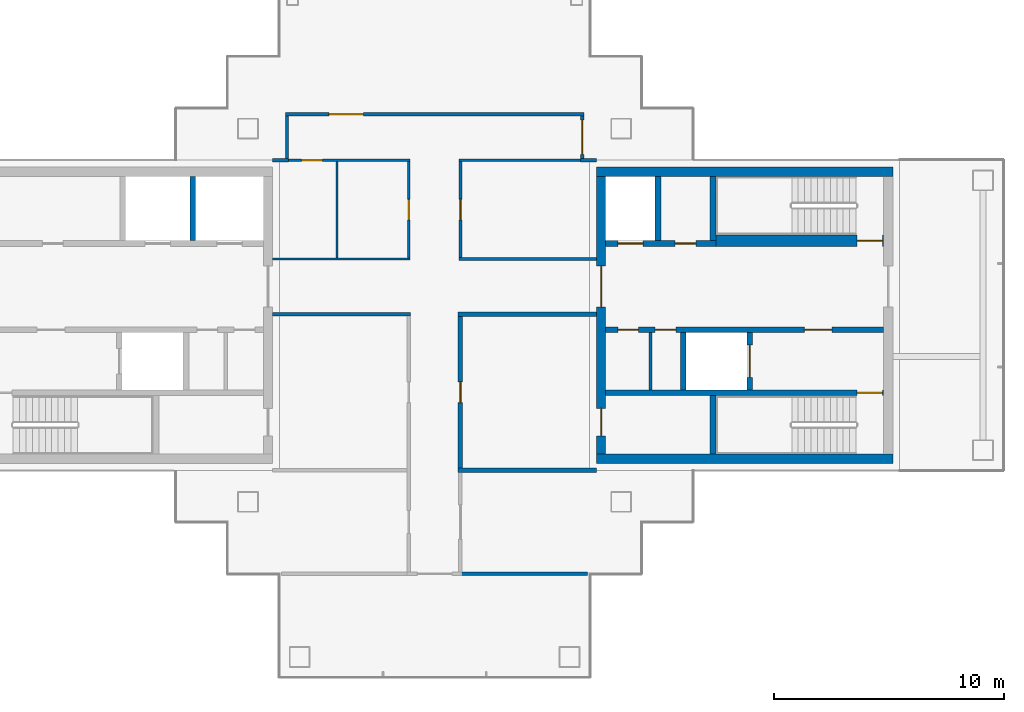
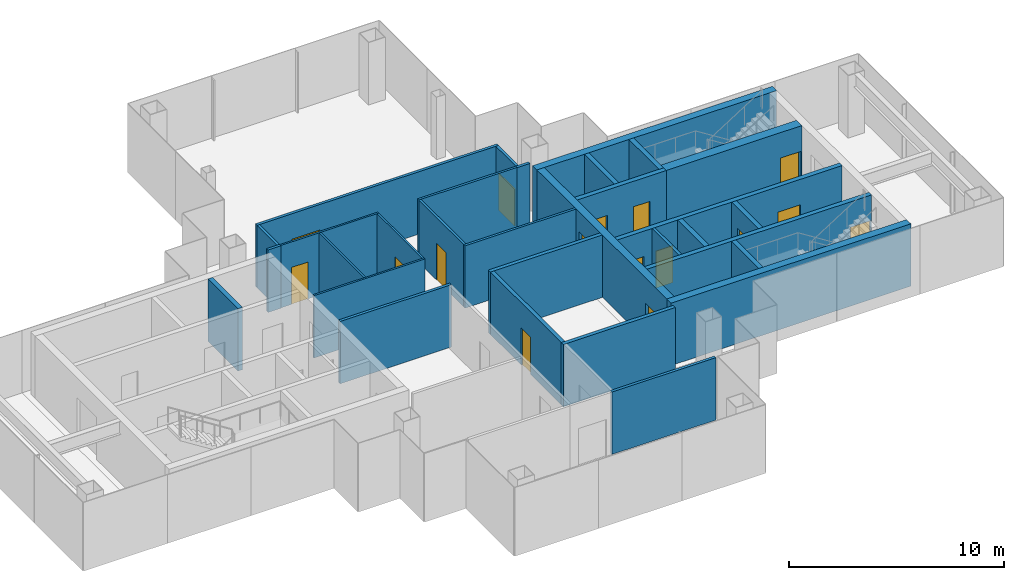
# One storey, part 12 of 16: 31 walls, 16 doors, 16 openings.
"""IFC4 building model written with IfcOpenShell, lengths in metres."""

from ifc_helpers import new_model, si_unit, direction, frame, frame_2d, origin, place, context, subcontext, project, spatial, rectangle, extrude, material, layer, layer_set, type_object, element, fill, save


model = new_model("IFC4")

# Units and contexts
model_context = context("Model", 3, precision=1e-05, world=origin(), true_north=direction((0.0, 1.0)))
body_context = subcontext(model_context, "Body", "Model", "MODEL_VIEW")
ifc_project = project(units=[si_unit("LENGTHUNIT", "METRE"), si_unit("AREAUNIT", "SQUARE_METRE"), si_unit("VOLUMEUNIT", "CUBIC_METRE"), si_unit("PLANEANGLEUNIT", "RADIAN"), si_unit("MASSUNIT", "GRAM", prefix="KILO")], contexts=[model_context])

# Site, building, storey
site_placement = place(None, origin())
site = spatial("IfcSite", under=ifc_project, at=site_placement, CompositionType="ELEMENT")
building_placement = place(site_placement, origin())
building = spatial("IfcBuilding", under=site, at=building_placement, Name="Shamsa Quay Exchange Towers", CompositionType="ELEMENT")
storey_placement = place(building_placement, frame((0.0, 0.0, 261.60009765625)))
storey = spatial("IfcBuildingStorey", under=building, at=storey_placement, Name="L63", CompositionType="ELEMENT", Elevation=261.60009765625)

# Walls
ifc_material_1 = material(Name="Concrete C60/75", Category="concrete")
ifc_layer_1 = layer(ifc_material_1, 0.39990234375)
ifc_layer_set_1 = layer_set([ifc_layer_1], Name="CORE WALL 400 C60/75")
wall_type_1 = type_object("IfcWallType", Name="CORE WALL 400 C60/75", PredefinedType="SHEAR", material=ifc_layer_set_1)
for number, where, z_axis, x_axis, name in (
    (1, (53.699951171875, -6.25, 0.0), (0.0, 0.0, 1.0), (-1.0, 0.0, 0.0), "Core wall T2B-R29-PS"),
    (2, (53.699951171875, 6.25, 0.0), (0.0, 0.0, 1.0), (-1.0, 0.0, 0.0), "Core wall T2B-R29-PN"),
):
    element("IfcWall", number, at=place(storey_placement, frame(where, z_axis=z_axis, x_axis=x_axis)), inside=storey, type_object=wall_type_1, Name=name, PredefinedType="SHEAR", context=body_context, shape_type="SweptSolid", body=[
        extrude(rectangle(XDim=12.89990234375, YDim=0.39990234375, at=frame_2d((6.449951171875, 0.0))), origin(), (0.0, 0.0, 1.0), 3.5498046875),
    ])

# Wall, openings, doors
wall_1_placement = place(storey_placement, frame((41.0, -6.050048828125, 0.0), z_axis=(0.0, 0.0, 1.0), x_axis=(0.0, 1.0, 0.0)))
wall_1 = element("IfcWall", 3, at=wall_1_placement, inside=storey, type_object=wall_type_1, Name="Core wall T2B-R29-PB", PredefinedType="SHEAR", context=body_context, shape_type="SweptSolid", body=[
    extrude(rectangle(XDim=12.10009765625, YDim=0.39990234375, at=frame_2d((6.050048828125, 0.0))), origin(), (0.0, 0.0, 1.0), 3.5498046875),
])
opening_1_placement = place(wall_1_placement, frame((0.800048828125, 0.0, 0.0)))
opening_1 = element("IfcOpeningElement", 4, at=opening_1_placement, cuts=wall_1, Name="Opening T2B-R29-RD02", PredefinedType="OPENING", context=body_context, shape_type="SweptSolid", body=[
    extrude(rectangle(XDim=1.199951171875, YDim=2.10009765625, at=frame_2d((0.60009765625, 1.050048828125))), frame((0.0, 0.2099609375, 0.0), z_axis=(0.0, -1.0, 0.0), x_axis=(1.0, 0.0, 0.0)), (0.0, 0.0, 1.0), 0.419921875),
])
opening_2_placement = place(wall_1_placement, frame((6.39990234375, 0.0, 0.0)))
opening_2 = element("IfcOpeningElement", 5, at=opening_2_placement, cuts=wall_1, Name="Opening T2B-R29-LBD03", PredefinedType="OPENING", context=body_context, shape_type="SweptSolid", body=[
    extrude(rectangle(XDim=1.800048828125, YDim=2.39990234375, at=frame_2d((0.89990234375, 1.199951171875))), frame((0.0, 0.2099609375, 0.0), z_axis=(0.0, -1.0, 0.0), x_axis=(1.0, 0.0, 0.0)), (0.0, 0.0, 1.0), 0.419921875),
])
ifc_material_2 = material(Name="Steel, fire rated", Category="steel")
door_type_1 = type_object("IfcDoorType", Name="LIFT LOBBY DOOR PAIR 1800", OperationType="DOUBLE_DOOR_SINGLE_SWING", PredefinedType="DOOR", material=ifc_material_2)
door_1_placement = place(opening_2_placement, origin())
door_1 = element("IfcDoor", 6, at=door_1_placement, inside=storey, type_object=door_type_1, Name="T2B-R29-LBD03", OperationType="DOUBLE_DOOR_SINGLE_SWING", OverallHeight=2.39990234375, OverallWidth=1.800048828125, PredefinedType="DOOR", context=body_context, shape_type="SweptSolid", body=[
    extrude(rectangle(XDim=1.800048828125, YDim=2.39990234375, at=frame_2d((0.89990234375, 1.199951171875))), frame((0.0, 0.02490234375, 0.0), z_axis=(0.0, -1.0, 0.0), x_axis=(1.0, 0.0, 0.0)), (0.0, 0.0, 1.0), 0.050048828125),
])
fill(opening_2, door_1)
door_type_2 = type_object("IfcDoorType", Name="RISER ACCESS DOOR 1200", OperationType="SINGLE_SWING_LEFT", PredefinedType="DOOR", material=ifc_material_2)
door_2_placement = place(opening_1_placement, origin())
door_2 = element("IfcDoor", 7, at=door_2_placement, inside=storey, type_object=door_type_2, Name="T2B-R29-RD02", OperationType="SINGLE_SWING_LEFT", OverallHeight=2.10009765625, OverallWidth=1.199951171875, PredefinedType="DOOR", context=body_context, shape_type="SweptSolid", body=[
    extrude(rectangle(XDim=1.199951171875, YDim=2.10009765625, at=frame_2d((0.60009765625, 1.050048828125))), frame((0.0, 0.02490234375, 0.0), z_axis=(0.0, -1.0, 0.0), x_axis=(1.0, 0.0, 0.0)), (0.0, 0.0, 1.0), 0.050048828125),
])
fill(opening_1, door_2)

# Walls
ifc_material_3 = material(Name="Gypsum board on steel studs, EI 60", Category="steel")
ifc_layer_2 = layer(ifc_material_3, 0.14990234375)
ifc_layer_set_2 = layer_set([ifc_layer_2], Name="FIRE PARTITION 150")
wall_type_2 = type_object("IfcWallType", Name="FIRE PARTITION 150", PredefinedType="PARTITIONING", material=ifc_layer_set_2)
wall_2_placement = place(storey_placement, frame((43.14990234375, -3.25, 0.0), z_axis=(0.0, 0.0, 1.0), x_axis=(0.0, 1.0, 0.0)))
element("IfcWall", 8, at=wall_2_placement, inside=storey, type_object=wall_type_2, Name="Partition T2B-R29-EC0", PredefinedType="PARTITIONING", context=body_context, shape_type="SweptSolid", body=[
    extrude(rectangle(XDim=2.5, YDim=0.14990234375, at=frame_2d((1.25, 0.0))), origin(), (0.0, 0.0, 1.0), 3.5498046875),
])
ifc_material_4 = material(Name="Laminated fire-resisting glass in a metal frame", Category="glass")
ifc_layer_3 = layer(ifc_material_4, 0.125)
ifc_layer_set_3 = layer_set([ifc_layer_3], Name="Glazed partition 125 mm EI 60")
wall_type_3 = type_object("IfcWallType", Name="Glazed partition 125 mm EI 60", PredefinedType="PARTITIONING", material=ifc_layer_set_3)
wall_3_placement = place(storey_placement, frame((34.8125, 2.4501953125, 0.0)))
element("IfcWall", 9, at=wall_3_placement, inside=storey, type_object=wall_type_3, Name="Partition T2-R29-W06", PredefinedType="PARTITIONING", context=body_context, shape_type="SweptSolid", body=[
    extrude(rectangle(XDim=5.987548828125, YDim=0.125, at=frame_2d((2.99365234375, 0.0))), origin(), (0.0, 0.0, 1.0), 3.5498046875),
])

# Wall, opening, door
wall_4_placement = place(storey_placement, frame((34.875, 6.6875, 0.0), z_axis=(0.0, 0.0, 1.0), x_axis=(0.0, -1.0, 0.0)))
wall_4 = element("IfcWall", 10, at=wall_4_placement, inside=storey, type_object=wall_type_3, Name="Partition T2-R29-W07", PredefinedType="PARTITIONING", context=body_context, shape_type="SweptSolid", body=[
    extrude(rectangle(XDim=4.1748046875, YDim=0.125, at=frame_2d((2.08740234375, 0.0))), origin(), (0.0, 0.0, 1.0), 3.5498046875),
])
opening_3_placement = place(wall_4_placement, frame((1.637451171875, 0.0, 0.0)))
opening_3 = element("IfcOpeningElement", 11, at=opening_3_placement, cuts=wall_4, Name="Opening T2-R29-D04", PredefinedType="OPENING", context=body_context, shape_type="SweptSolid", body=[
    extrude(rectangle(XDim=0.89990234375, YDim=2.10009765625, at=frame_2d((0.449951171875, 1.050048828125))), frame((0.0, 0.072509765625, 0.0), z_axis=(0.0, -1.0, 0.0), x_axis=(1.0, 0.0, 0.0)), (0.0, 0.0, 1.0), 0.14501953125),
])
ifc_material_5 = material(Name="Timber door leaf in a metal frame", Category="wood")
door_type_3 = type_object("IfcDoorType", Name="Door 900x2100 FD30S", OperationType="NOTDEFINED", PredefinedType="DOOR", material=ifc_material_5)
door_3_placement = place(opening_3_placement, origin())
door_3 = element("IfcDoor", 12, at=door_3_placement, inside=storey, type_object=door_type_3, Name="Door T2-R29-D04", OperationType="SINGLE_SWING_RIGHT", OverallHeight=2.10009765625, OverallWidth=0.89990234375, PredefinedType="DOOR", context=body_context, shape_type="SweptSolid", body=[
    extrude(rectangle(XDim=0.89990234375, YDim=2.10009765625, at=frame_2d((0.449951171875, 1.050048828125))), frame((0.0, 0.02490234375, 0.0), z_axis=(0.0, -1.0, 0.0), x_axis=(1.0, 0.0, 0.0)), (0.0, 0.0, 1.0), 0.050048828125),
])
fill(opening_3, door_3)

# Wall
wall_5_placement = place(storey_placement, frame((40.249755859375, 6.75, 0.0), z_axis=(0.0, 0.0, 1.0), x_axis=(-1.0, 0.0, 0.0)))
element("IfcWall", 13, at=wall_5_placement, inside=storey, type_object=wall_type_3, Name="Partition T2-R29-W08", PredefinedType="PARTITIONING", context=body_context, shape_type="SweptSolid", body=[
    extrude(rectangle(XDim=5.437255859375, YDim=0.125, at=frame_2d((2.71875, 0.0))), origin(), (0.0, 0.0, 1.0), 3.5498046875),
])

# Wall, opening, door
ifc_material_6 = material(Name="Gypsum board partition on metal studs")
ifc_layer_4 = layer(ifc_material_6, 0.10009765625)
ifc_layer_set_4 = layer_set([ifc_layer_4], Name="Partition 100 mm NOT RATED")
wall_type_4 = type_object("IfcWallType", Name="Partition 100 mm NOT RATED", PredefinedType="PARTITIONING", material=ifc_layer_set_4)
wall_6_placement = place(storey_placement, frame((32.675048828125, 6.75, 0.0), z_axis=(0.0, 0.0, 1.0), x_axis=(-1.0, 0.0, 0.0)))
wall_6 = element("IfcWall", 14, at=wall_6_placement, inside=storey, type_object=wall_type_4, Name="Partition T2-R29-W01", PredefinedType="PARTITIONING", context=body_context, shape_type="SweptSolid", body=[
    extrude(rectangle(XDim=5.4248046875, YDim=0.10009765625, at=frame_2d((2.71240234375, 0.0))), origin(), (0.0, 0.0, 1.0), 3.5498046875),
])
opening_4_placement = place(wall_6_placement, frame((3.8125, 0.0, 0.0)))
opening_4 = element("IfcOpeningElement", 15, at=opening_4_placement, cuts=wall_6, Name="Opening T2-R29-D09", PredefinedType="OPENING", context=body_context, shape_type="SweptSolid", body=[
    extrude(rectangle(XDim=0.89990234375, YDim=2.10009765625, at=frame_2d((0.449951171875, 1.050048828125))), frame((0.0, 0.06005859375, 0.0), z_axis=(0.0, -1.0, 0.0), x_axis=(1.0, 0.0, 0.0)), (0.0, 0.0, 1.0), 0.1201171875),
])
door_type_4 = type_object("IfcDoorType", Name="Door 900x2100 NOT RATED", OperationType="NOTDEFINED", PredefinedType="DOOR", material=ifc_material_5)
door_4_placement = place(opening_4_placement, origin())
door_4 = element("IfcDoor", 16, at=door_4_placement, inside=storey, type_object=door_type_4, Name="Door T2-R29-D09", OperationType="SINGLE_SWING_LEFT", OverallHeight=2.10009765625, OverallWidth=0.89990234375, PredefinedType="DOOR", context=body_context, shape_type="SweptSolid", body=[
    extrude(rectangle(XDim=0.89990234375, YDim=2.10009765625, at=frame_2d((0.449951171875, 1.050048828125))), frame((0.0, 0.02490234375, 0.0), z_axis=(0.0, -1.0, 0.0), x_axis=(1.0, 0.0, 0.0)), (0.0, 0.0, 1.0), 0.050048828125),
])
fill(opening_4, door_4)

wall_7_placement = place(storey_placement, frame((32.625, 2.500244140625, 0.0), z_axis=(0.0, 0.0, 1.0), x_axis=(0.0, 1.0, 0.0)))
wall_7 = element("IfcWall", 17, at=wall_7_placement, inside=storey, type_object=wall_type_4, Name="Partition T2-R29-W02", PredefinedType="PARTITIONING", context=body_context, shape_type="SweptSolid", body=[
    extrude(rectangle(XDim=4.19970703125, YDim=0.10009765625, at=frame_2d((2.099853515625, 0.0))), origin(), (0.0, 0.0, 1.0), 3.5498046875),
])
opening_5_placement = place(wall_7_placement, frame((1.64990234375, 0.0, 0.0)))
opening_5 = element("IfcOpeningElement", 18, at=opening_5_placement, cuts=wall_7, Name="Opening T2-R29-D08", PredefinedType="OPENING", context=body_context, shape_type="SweptSolid", body=[
    extrude(rectangle(XDim=0.89990234375, YDim=2.10009765625, at=frame_2d((0.449951171875, 1.050048828125))), frame((0.0, 0.06005859375, 0.0), z_axis=(0.0, -1.0, 0.0), x_axis=(1.0, 0.0, 0.0)), (0.0, 0.0, 1.0), 0.1201171875),
])
door_5_placement = place(opening_5_placement, origin())
door_5 = element("IfcDoor", 19, at=door_5_placement, inside=storey, type_object=door_type_4, Name="Door T2-R29-D08", OperationType="SINGLE_SWING_LEFT", OverallHeight=2.10009765625, OverallWidth=0.89990234375, PredefinedType="DOOR", context=body_context, shape_type="SweptSolid", body=[
    extrude(rectangle(XDim=0.89990234375, YDim=2.10009765625, at=frame_2d((0.449951171875, 1.050048828125))), frame((0.0, 0.02490234375, 0.0), z_axis=(0.0, -1.0, 0.0), x_axis=(1.0, 0.0, 0.0)), (0.0, 0.0, 1.0), 0.050048828125),
])
fill(opening_5, door_5)

# Walls
wall_8_placement = place(storey_placement, frame((26.699951171875, 2.4501953125, 0.0)))
element("IfcWall", 20, at=wall_8_placement, inside=storey, type_object=wall_type_4, Name="Partition T2-R29-W03", PredefinedType="PARTITIONING", context=body_context, shape_type="SweptSolid", body=[
    extrude(rectangle(XDim=5.97509765625, YDim=0.10009765625, at=frame_2d((2.987548828125, 0.0))), origin(), (0.0, 0.0, 1.0), 3.5498046875),
])
wall_9_placement = place(storey_placement, frame((29.5, 6.699951171875, 0.0), z_axis=(0.0, 0.0, 1.0), x_axis=(0.0, -1.0, 0.0)))
element("IfcWall", 21, at=wall_9_placement, inside=storey, type_object=wall_type_4, Name="Partition T2-R29-W16", PredefinedType="PARTITIONING", context=body_context, shape_type="SweptSolid", body=[
    extrude(rectangle(XDim=4.19970703125, YDim=0.10009765625, at=frame_2d((2.099853515625, 0.0))), origin(), (0.0, 0.0, 1.0), 3.5498046875),
])
ifc_layer_5 = layer(ifc_material_6, 0.14990234375)
ifc_layer_set_5 = layer_set([ifc_layer_5], Name="Partition 150 mm EI 60")
wall_type_5 = type_object("IfcWallType", Name="Partition 150 mm EI 60", PredefinedType="PARTITIONING", material=ifc_layer_set_5)
wall_10_placement = place(storey_placement, frame((32.699951171875, 0.0498046875, 0.0), z_axis=(0.0, 0.0, 1.0), x_axis=(-1.0, 0.0, 0.0)))
element("IfcWall", 22, at=wall_10_placement, inside=storey, type_object=wall_type_5, Name="Partition T2-R29-W04", PredefinedType="PARTITIONING", context=body_context, shape_type="SweptSolid", body=[
    extrude(rectangle(XDim=6.0, YDim=0.14990234375, at=frame_2d((3.0, 0.0))), origin(), (0.0, 0.0, 1.0), 3.5498046875),
])

# Wall, opening, door
wall_11_placement = place(storey_placement, frame((40.1748046875, 6.824951171875, 0.0), z_axis=(0.0, 0.0, 1.0), x_axis=(0.0, 1.0, 0.0)))
wall_11 = element("IfcWall", 23, at=wall_11_placement, inside=storey, type_object=wall_type_5, Name="Partition T2-R29-W11", PredefinedType="PARTITIONING", context=body_context, shape_type="SweptSolid", body=[
    extrude(rectangle(XDim=1.85009765625, YDim=0.14990234375, at=frame_2d((0.925048828125, 0.0))), origin(), (0.0, 0.0, 1.0), 3.5498046875),
])
opening_6_placement = place(wall_11_placement, frame((0.175048828125, 0.0, 0.0)))
opening_6 = element("IfcOpeningElement", 24, at=opening_6_placement, cuts=wall_11, Name="Opening T2-R29-D01", PredefinedType="OPENING", context=body_context, shape_type="SweptSolid", body=[
    extrude(rectangle(XDim=1.5, YDim=2.10009765625, at=frame_2d((0.75, 1.050048828125))), frame((0.0, 0.0849609375, 0.0), z_axis=(0.0, -1.0, 0.0), x_axis=(1.0, 0.0, 0.0)), (0.0, 0.0, 1.0), 0.169921875),
])
door_type_5 = type_object("IfcDoorType", Name="Door 1500x2100 FD30S pair", OperationType="NOTDEFINED", PredefinedType="DOOR", material=ifc_material_5)
door_6_placement = place(opening_6_placement, origin())
door_6 = element("IfcDoor", 25, at=door_6_placement, inside=storey, type_object=door_type_5, Name="Door T2-R29-D01", OperationType="DOUBLE_DOOR_SINGLE_SWING", OverallHeight=2.10009765625, OverallWidth=1.5, PredefinedType="DOOR", context=body_context, shape_type="SweptSolid", body=[
    extrude(rectangle(XDim=1.5, YDim=2.10009765625, at=frame_2d((0.75, 1.050048828125))), frame((0.0, 0.02490234375, 0.0), z_axis=(0.0, -1.0, 0.0), x_axis=(1.0, 0.0, 0.0)), (0.0, 0.0, 1.0), 0.050048828125),
])
fill(opening_6, door_6)

wall_12_placement = place(storey_placement, frame((40.249755859375, 8.75, 0.0), z_axis=(0.0, 0.0, 1.0), x_axis=(-1.0, 0.0, 0.0)))
wall_12 = element("IfcWall", 26, at=wall_12_placement, inside=storey, type_object=wall_type_5, Name="Partition T2-R29-W12", PredefinedType="PARTITIONING", context=body_context, shape_type="SweptSolid", body=[
    extrude(rectangle(XDim=12.99951171875, YDim=0.14990234375, at=frame_2d((6.499755859375, 0.0))), origin(), (0.0, 0.0, 1.0), 3.5498046875),
])
opening_7_placement = place(wall_12_placement, frame((9.604736328125, 0.0, 0.0)))
opening_7 = element("IfcOpeningElement", 27, at=opening_7_placement, cuts=wall_12, Name="Opening T2-R29-D10", PredefinedType="OPENING", context=body_context, shape_type="SweptSolid", body=[
    extrude(rectangle(XDim=1.5, YDim=2.10009765625, at=frame_2d((0.75, 1.050048828125))), frame((0.0, 0.0849609375, 0.0), z_axis=(0.0, -1.0, 0.0), x_axis=(1.0, 0.0, 0.0)), (0.0, 0.0, 1.0), 0.169921875),
])
door_7_placement = place(opening_7_placement, origin())
door_7 = element("IfcDoor", 28, at=door_7_placement, inside=storey, type_object=door_type_5, Name="Door T2-R29-D10", OperationType="DOUBLE_DOOR_SINGLE_SWING", OverallHeight=2.10009765625, OverallWidth=1.5, PredefinedType="DOOR", context=body_context, shape_type="SweptSolid", body=[
    extrude(rectangle(XDim=1.5, YDim=2.10009765625, at=frame_2d((0.75, 1.050048828125))), frame((0.0, 0.02490234375, 0.0), z_axis=(0.0, -1.0, 0.0), x_axis=(1.0, 0.0, 0.0)), (0.0, 0.0, 1.0), 0.050048828125),
])
fill(opening_7, door_7)

# Walls
wall_13_placement = place(storey_placement, frame((27.3251953125, 8.675048828125, 0.0), z_axis=(0.0, 0.0, 1.0), x_axis=(0.0, -1.0, 0.0)))
element("IfcWall", 29, at=wall_13_placement, inside=storey, type_object=wall_type_5, Name="Partition T2-R29-W13", PredefinedType="PARTITIONING", context=body_context, shape_type="SweptSolid", body=[
    extrude(rectangle(XDim=1.85009765625, YDim=0.14990234375, at=frame_2d((0.925048828125, 0.0))), origin(), (0.0, 0.0, 1.0), 3.5498046875),
])
for number, where, z_axis, x_axis, name in (
    (30, (27.400146484375, 6.75, 0.0), (0.0, 0.0, 1.0), (-1.0, 0.0, 0.0), "Partition T2-R29-W17"),
    (31, (40.800048828125, 6.75, 0.0), (0.0, 0.0, 1.0), (-1.0, 0.0, 0.0), "Partition T2-R29-W18"),
):
    element("IfcWall", number, at=place(storey_placement, frame(where, z_axis=z_axis, x_axis=x_axis)), inside=storey, type_object=wall_type_5, Name=name, PredefinedType="PARTITIONING", context=body_context, shape_type="SweptSolid", body=[
        extrude(rectangle(XDim=0.7001953125, YDim=0.14990234375, at=frame_2d((0.35009765625, 0.0))), origin(), (0.0, 0.0, 1.0), 3.5498046875),
    ])
wall_14_placement = place(storey_placement, frame((34.800048828125, -11.25, 0.0)))
element("IfcWall", 32, at=wall_14_placement, inside=storey, type_object=wall_type_5, Name="Partition T2-R29-W21", PredefinedType="PARTITIONING", context=body_context, shape_type="SweptSolid", body=[
    extrude(rectangle(XDim=5.60498046875, YDim=0.14990234375, at=frame_2d((2.802490234375, 0.0))), origin(), (0.0, 0.0, 1.0), 3.5498046875),
])

# Wall, opening, door
ifc_layer_6 = layer(ifc_material_6, 0.199951171875)
ifc_layer_set_6 = layer_set([ifc_layer_6], Name="Partition 200 mm EI 120")
wall_type_6 = type_object("IfcWallType", Name="Partition 200 mm EI 120", PredefinedType="PARTITIONING", material=ifc_layer_set_6)
wall_15_placement = place(storey_placement, frame((34.875, -0.05029296875, 0.0), z_axis=(0.0, 0.0, 1.0), x_axis=(0.0, -1.0, 0.0)))
wall_15 = element("IfcWall", 33, at=wall_15_placement, inside=storey, type_object=wall_type_6, Name="Partition T2-R29-W09", PredefinedType="PARTITIONING", context=body_context, shape_type="SweptSolid", body=[
    extrude(rectangle(XDim=6.599609375, YDim=0.199951171875, at=frame_2d((3.2998046875, 0.0))), origin(), (0.0, 0.0, 1.0), 3.5498046875),
])
opening_8_placement = place(wall_15_placement, frame((2.849853515625, 0.0, 0.0)))
opening_8 = element("IfcOpeningElement", 34, at=opening_8_placement, cuts=wall_15, Name="Opening T2-R29-D03", PredefinedType="OPENING", context=body_context, shape_type="SweptSolid", body=[
    extrude(rectangle(XDim=0.89990234375, YDim=2.10009765625, at=frame_2d((0.449951171875, 1.050048828125))), frame((0.0, 0.10986328125, 0.0), z_axis=(0.0, -1.0, 0.0), x_axis=(1.0, 0.0, 0.0)), (0.0, 0.0, 1.0), 0.219970703125),
])
door_type_6 = type_object("IfcDoorType", Name="Door 900x2100 FD60", OperationType="NOTDEFINED", PredefinedType="DOOR", material=ifc_material_5)
door_8_placement = place(opening_8_placement, origin())
door_8 = element("IfcDoor", 35, at=door_8_placement, inside=storey, type_object=door_type_6, Name="Door T2-R29-D03", OperationType="SINGLE_SWING_LEFT", OverallHeight=2.10009765625, OverallWidth=0.89990234375, PredefinedType="DOOR", context=body_context, shape_type="SweptSolid", body=[
    extrude(rectangle(XDim=0.89990234375, YDim=2.10009765625, at=frame_2d((0.449951171875, 1.050048828125))), frame((0.0, 0.02490234375, 0.0), z_axis=(0.0, -1.0, 0.0), x_axis=(1.0, 0.0, 0.0)), (0.0, 0.0, 1.0), 0.050048828125),
])
fill(opening_8, door_8)

# Walls
wall_16_placement = place(storey_placement, frame((40.800048828125, 0.0498046875, 0.0), z_axis=(0.0, 0.0, 1.0), x_axis=(-1.0, 0.0, 0.0)))
element("IfcWall", 36, at=wall_16_placement, inside=storey, type_object=wall_type_6, Name="Partition T2-R29-W10", PredefinedType="PARTITIONING", context=body_context, shape_type="SweptSolid", body=[
    extrude(rectangle(XDim=6.025146484375, YDim=0.199951171875, at=frame_2d((3.0126953125, 0.0))), origin(), (0.0, 0.0, 1.0), 3.5498046875),
])
wall_17_placement = place(storey_placement, frame((34.77490234375, -6.75, 0.0)))
element("IfcWall", 37, at=wall_17_placement, inside=storey, type_object=wall_type_6, Name="Partition T2-R29-W20", PredefinedType="PARTITIONING", context=body_context, shape_type="SweptSolid", body=[
    extrude(rectangle(XDim=6.025146484375, YDim=0.199951171875, at=frame_2d((3.0126953125, 0.0))), origin(), (0.0, 0.0, 1.0), 3.5498046875),
])
ifc_material_7 = material(Name="Concrete C50/60", Category="concrete")
ifc_layer_7 = layer(ifc_material_7, 0.25)
ifc_layer_set_7 = layer_set([ifc_layer_7], Name="SHAFT WALL 250 C50/60")
wall_type_7 = type_object("IfcWallType", Name="SHAFT WALL 250 C50/60", PredefinedType="SHEAR", material=ifc_layer_set_7)
wall_18_placement = place(storey_placement, frame((23.22509765625, 3.25, 0.0), z_axis=(0.0, 0.0, 1.0), x_axis=(0.0, 1.0, 0.0)))
element("IfcWall", 38, at=wall_18_placement, inside=storey, type_object=wall_type_7, Name="Shaft wall T2A-R29-D2", PredefinedType="SHEAR", context=body_context, shape_type="SweptSolid", body=[
    extrude(rectangle(XDim=2.800048828125, YDim=0.25, at=frame_2d((1.39990234375, 0.0))), origin(), (0.0, 0.0, 1.0), 3.5498046875),
])

# Wall, opening, door
wall_19_placement = place(storey_placement, frame((53.300048828125, -3.375, 0.0), z_axis=(0.0, 0.0, 1.0), x_axis=(-1.0, 0.0, 0.0)))
wall_19 = element("IfcWall", 39, at=wall_19_placement, inside=storey, type_object=wall_type_7, Name="Shaft wall T2B-R29-STL", PredefinedType="SHEAR", context=body_context, shape_type="SweptSolid", body=[
    extrude(rectangle(XDim=12.10009765625, YDim=0.25, at=frame_2d((6.050048828125, 0.0))), origin(), (0.0, 0.0, 1.0), 3.5498046875),
])
opening_9_placement = place(wall_19_placement, frame((0.050048828125, 0.0, 0.0)))
opening_9 = element("IfcOpeningElement", 40, at=opening_9_placement, cuts=wall_19, Name="Opening T2B-R29-SD04", PredefinedType="OPENING", context=body_context, shape_type="SweptSolid", body=[
    extrude(rectangle(XDim=1.10009765625, YDim=2.10009765625, at=frame_2d((0.550048828125, 1.050048828125))), frame((0.0, 0.135009765625, 0.0), z_axis=(0.0, -1.0, 0.0), x_axis=(1.0, 0.0, 0.0)), (0.0, 0.0, 1.0), 0.27001953125),
])
door_type_7 = type_object("IfcDoorType", Name="STAIR DOOR 1100", OperationType="SINGLE_SWING_LEFT", PredefinedType="DOOR", material=ifc_material_2)
door_9_placement = place(opening_9_placement, origin())
door_9 = element("IfcDoor", 41, at=door_9_placement, inside=storey, type_object=door_type_7, Name="T2B-R29-SD04", OperationType="SINGLE_SWING_LEFT", OverallHeight=2.10009765625, OverallWidth=1.10009765625, PredefinedType="DOOR", context=body_context, shape_type="SweptSolid", body=[
    extrude(rectangle(XDim=1.10009765625, YDim=2.10009765625, at=frame_2d((0.550048828125, 1.050048828125))), frame((0.0, 0.02490234375, 0.0), z_axis=(0.0, -1.0, 0.0), x_axis=(1.0, 0.0, 0.0)), (0.0, 0.0, 1.0), 0.050048828125),
])
fill(opening_9, door_9)

# Wall
wall_20_placement = place(storey_placement, frame((45.875, -6.050048828125, 0.0), z_axis=(0.0, 0.0, 1.0), x_axis=(0.0, 1.0, 0.0)))
element("IfcWall", 42, at=wall_20_placement, inside=storey, type_object=wall_type_7, Name="Shaft wall T2B-R29-STF", PredefinedType="SHEAR", context=body_context, shape_type="SweptSolid", body=[
    extrude(rectangle(XDim=2.550048828125, YDim=0.25, at=frame_2d((1.27490234375, 0.0))), origin(), (0.0, 0.0, 1.0), 3.5498046875),
])

# Wall, openings, doors
wall_21_placement = place(storey_placement, frame((53.300048828125, -0.625, 0.0), z_axis=(0.0, 0.0, 1.0), x_axis=(-1.0, 0.0, 0.0)))
wall_21 = element("IfcWall", 43, at=wall_21_placement, inside=storey, type_object=wall_type_7, Name="Shaft wall T2B-R29-B", PredefinedType="SHEAR", context=body_context, shape_type="SweptSolid", body=[
    extrude(rectangle(XDim=12.10009765625, YDim=0.25, at=frame_2d((6.050048828125, 0.0))), origin(), (0.0, 0.0, 1.0), 3.5498046875),
])
opening_10_placement = place(wall_21_placement, frame((2.25, 0.0, 0.0)))
opening_10 = element("IfcOpeningElement", 44, at=opening_10_placement, cuts=wall_21, Name="Opening T2B-R29-FD05", PredefinedType="OPENING", context=body_context, shape_type="SweptSolid", body=[
    extrude(rectangle(XDim=1.199951171875, YDim=2.10009765625, at=frame_2d((0.60009765625, 1.050048828125))), frame((0.0, 0.135009765625, 0.0), z_axis=(0.0, -1.0, 0.0), x_axis=(1.0, 0.0, 0.0)), (0.0, 0.0, 1.0), 0.27001953125),
])
opening_11_placement = place(wall_21_placement, frame((9.050048828125, 0.0, 0.0)))
opening_11 = element("IfcOpeningElement", 45, at=opening_11_placement, cuts=wall_21, Name="Opening T2B-R29-SV06", PredefinedType="OPENING", context=body_context, shape_type="SweptSolid", body=[
    extrude(rectangle(XDim=0.89990234375, YDim=2.10009765625, at=frame_2d((0.449951171875, 1.050048828125))), frame((0.0, 0.135009765625, 0.0), z_axis=(0.0, -1.0, 0.0), x_axis=(1.0, 0.0, 0.0)), (0.0, 0.0, 1.0), 0.27001953125),
])
opening_12_placement = place(wall_21_placement, frame((10.675048828125, 0.0, 0.0)))
opening_12 = element("IfcOpeningElement", 46, at=opening_12_placement, cuts=wall_21, Name="Opening T2B-R29-SV07", PredefinedType="OPENING", context=body_context, shape_type="SweptSolid", body=[
    extrude(rectangle(XDim=0.89990234375, YDim=2.10009765625, at=frame_2d((0.449951171875, 1.050048828125))), frame((0.0, 0.135009765625, 0.0), z_axis=(0.0, -1.0, 0.0), x_axis=(1.0, 0.0, 0.0)), (0.0, 0.0, 1.0), 0.27001953125),
])
door_type_8 = type_object("IfcDoorType", Name="FIRE SERVICE LOBBY DOOR 1200", OperationType="SINGLE_SWING_LEFT", PredefinedType="DOOR", material=ifc_material_2)
door_10_placement = place(opening_10_placement, origin())
door_10 = element("IfcDoor", 47, at=door_10_placement, inside=storey, type_object=door_type_8, Name="T2B-R29-FD05", OperationType="SINGLE_SWING_LEFT", OverallHeight=2.10009765625, OverallWidth=1.199951171875, PredefinedType="DOOR", context=body_context, shape_type="SweptSolid", body=[
    extrude(rectangle(XDim=1.199951171875, YDim=2.10009765625, at=frame_2d((0.60009765625, 1.050048828125))), frame((0.0, 0.02490234375, 0.0), z_axis=(0.0, -1.0, 0.0), x_axis=(1.0, 0.0, 0.0)), (0.0, 0.0, 1.0), 0.050048828125),
])
fill(opening_10, door_10)
door_type_9 = type_object("IfcDoorType", Name="SERVICE ROOM DOOR 900", OperationType="SINGLE_SWING_LEFT", PredefinedType="DOOR", material=ifc_material_2)
door_11_placement = place(opening_11_placement, origin())
door_11 = element("IfcDoor", 48, at=door_11_placement, inside=storey, type_object=door_type_9, Name="T2B-R29-SV06", OperationType="SINGLE_SWING_RIGHT", OverallHeight=2.10009765625, OverallWidth=0.89990234375, PredefinedType="DOOR", context=body_context, shape_type="SweptSolid", body=[
    extrude(rectangle(XDim=0.89990234375, YDim=2.10009765625, at=frame_2d((0.449951171875, 1.050048828125))), frame((0.0, 0.02490234375, 0.0), z_axis=(0.0, -1.0, 0.0), x_axis=(1.0, 0.0, 0.0)), (0.0, 0.0, 1.0), 0.050048828125),
])
fill(opening_11, door_11)
door_12_placement = place(opening_12_placement, origin())
door_12 = element("IfcDoor", 49, at=door_12_placement, inside=storey, type_object=door_type_9, Name="T2B-R29-SV07", OperationType="SINGLE_SWING_RIGHT", OverallHeight=2.10009765625, OverallWidth=0.89990234375, PredefinedType="DOOR", context=body_context, shape_type="SweptSolid", body=[
    extrude(rectangle(XDim=0.89990234375, YDim=2.10009765625, at=frame_2d((0.449951171875, 1.050048828125))), frame((0.0, 0.02490234375, 0.0), z_axis=(0.0, -1.0, 0.0), x_axis=(1.0, 0.0, 0.0)), (0.0, 0.0, 1.0), 0.050048828125),
])
fill(opening_12, door_12)

# Wall, opening, door
wall_22_placement = place(storey_placement, frame((47.47509765625, -3.25, 0.0), z_axis=(0.0, 0.0, 1.0), x_axis=(0.0, 1.0, 0.0)))
wall_22 = element("IfcWall", 50, at=wall_22_placement, inside=storey, type_object=wall_type_7, Name="Shaft wall T2B-R29-FFF", PredefinedType="SHEAR", context=body_context, shape_type="SweptSolid", body=[
    extrude(rectangle(XDim=2.5, YDim=0.25, at=frame_2d((1.25, 0.0))), origin(), (0.0, 0.0, 1.0), 3.5498046875),
])
opening_13_placement = place(wall_22_placement, frame((0.550048828125, 0.0, 0.0)))
opening_13 = element("IfcOpeningElement", 51, at=opening_13_placement, cuts=wall_22, Name="Opening T2B-R29-LDG08", PredefinedType="OPENING", context=body_context, shape_type="SweptSolid", body=[
    extrude(rectangle(XDim=1.39990234375, YDim=2.39990234375, at=frame_2d((0.699951171875, 1.199951171875))), frame((0.0, 0.135009765625, 0.0), z_axis=(0.0, -1.0, 0.0), x_axis=(1.0, 0.0, 0.0)), (0.0, 0.0, 1.0), 0.27001953125),
])
door_type_10 = type_object("IfcDoorType", Name="GOODS LIFT LANDING DOOR 1400", OperationType="SLIDING_TO_LEFT", PredefinedType="DOOR", material=ifc_material_2)
door_13_placement = place(opening_13_placement, origin())
door_13 = element("IfcDoor", 52, at=door_13_placement, inside=storey, type_object=door_type_10, Name="T2B-R29-LDG08", OperationType="SLIDING_TO_LEFT", OverallHeight=2.39990234375, OverallWidth=1.39990234375, PredefinedType="DOOR", context=body_context, shape_type="SweptSolid", body=[
    extrude(rectangle(XDim=1.39990234375, YDim=2.39990234375, at=frame_2d((0.699951171875, 1.199951171875))), frame((0.0, 0.02490234375, 0.0), z_axis=(0.0, -1.0, 0.0), x_axis=(1.0, 0.0, 0.0)), (0.0, 0.0, 1.0), 0.050048828125),
])
fill(opening_13, door_13)

# Wall
wall_23_placement = place(storey_placement, frame((44.574951171875, -3.25, 0.0), z_axis=(0.0, 0.0, 1.0), x_axis=(0.0, 1.0, 0.0)))
element("IfcWall", 53, at=wall_23_placement, inside=storey, type_object=wall_type_7, Name="Shaft wall T2B-R29-FFB", PredefinedType="SHEAR", context=body_context, shape_type="SweptSolid", body=[
    extrude(rectangle(XDim=2.5, YDim=0.25, at=frame_2d((1.25, 0.0))), origin(), (0.0, 0.0, 1.0), 3.5498046875),
])

# Wall, openings, doors
wall_24_placement = place(storey_placement, frame((41.199951171875, 3.125, 0.0)))
wall_24 = element("IfcWall", 54, at=wall_24_placement, inside=storey, type_object=wall_type_7, Name="Shaft wall T2B-R29-N2", PredefinedType="SHEAR", context=body_context, shape_type="SweptSolid", body=[
    extrude(rectangle(XDim=4.800048828125, YDim=0.25, at=frame_2d((2.39990234375, 0.0))), origin(), (0.0, 0.0, 1.0), 3.5498046875),
])
opening_14_placement = place(wall_24_placement, frame((0.52490234375, 0.0, 0.0)))
opening_14 = element("IfcOpeningElement", 55, at=opening_14_placement, cuts=wall_24, Name="Opening T2B-R29-LD10", PredefinedType="OPENING", context=body_context, shape_type="SweptSolid", body=[
    extrude(rectangle(XDim=1.10009765625, YDim=2.10009765625, at=frame_2d((0.550048828125, 1.050048828125))), frame((0.0, 0.135009765625, 0.0), z_axis=(0.0, -1.0, 0.0), x_axis=(1.0, 0.0, 0.0)), (0.0, 0.0, 1.0), 0.27001953125),
])
opening_15_placement = place(wall_24_placement, frame((3.02490234375, 0.0, 0.0)))
opening_15 = element("IfcOpeningElement", 56, at=opening_15_placement, cuts=wall_24, Name="Opening T2B-R29-SV11", PredefinedType="OPENING", context=body_context, shape_type="SweptSolid", body=[
    extrude(rectangle(XDim=0.89990234375, YDim=2.10009765625, at=frame_2d((0.449951171875, 1.050048828125))), frame((0.0, 0.135009765625, 0.0), z_axis=(0.0, -1.0, 0.0), x_axis=(1.0, 0.0, 0.0)), (0.0, 0.0, 1.0), 0.27001953125),
])
door_type_11 = type_object("IfcDoorType", Name="LANDING DOOR 1100", OperationType="SLIDING_TO_LEFT", PredefinedType="DOOR", material=ifc_material_2)
door_14_placement = place(opening_14_placement, origin())
door_14 = element("IfcDoor", 57, at=door_14_placement, inside=storey, type_object=door_type_11, Name="T2B-R29-LD10", OperationType="SLIDING_TO_LEFT", OverallHeight=2.10009765625, OverallWidth=1.10009765625, PredefinedType="DOOR", context=body_context, shape_type="SweptSolid", body=[
    extrude(rectangle(XDim=1.10009765625, YDim=2.10009765625, at=frame_2d((0.550048828125, 1.050048828125))), frame((0.0, 0.02490234375, 0.0), z_axis=(0.0, -1.0, 0.0), x_axis=(1.0, 0.0, 0.0)), (0.0, 0.0, 1.0), 0.050048828125),
])
fill(opening_14, door_14)
door_15_placement = place(opening_15_placement, origin())
door_15 = element("IfcDoor", 58, at=door_15_placement, inside=storey, type_object=door_type_9, Name="T2B-R29-SV11", OperationType="SINGLE_SWING_RIGHT", OverallHeight=2.10009765625, OverallWidth=0.89990234375, PredefinedType="DOOR", context=body_context, shape_type="SweptSolid", body=[
    extrude(rectangle(XDim=0.89990234375, YDim=2.10009765625, at=frame_2d((0.449951171875, 1.050048828125))), frame((0.0, 0.02490234375, 0.0), z_axis=(0.0, -1.0, 0.0), x_axis=(1.0, 0.0, 0.0)), (0.0, 0.0, 1.0), 0.050048828125),
])
fill(opening_15, door_15)

# Walls
for number, where, z_axis, x_axis, name in (
    (59, (45.875, 3.25, 0.0), (0.0, 0.0, 1.0), (0.0, 1.0, 0.0), "Shaft wall T2B-R29-STF2"),
    (60, (43.47509765625, 3.25, 0.0), (0.0, 0.0, 1.0), (0.0, 1.0, 0.0), "Shaft wall T2B-R29-D0"),
):
    element("IfcWall", number, at=place(storey_placement, frame(where, z_axis=z_axis, x_axis=x_axis)), inside=storey, type_object=wall_type_7, Name=name, PredefinedType="SHEAR", context=body_context, shape_type="SweptSolid", body=[
        extrude(rectangle(XDim=2.800048828125, YDim=0.25, at=frame_2d((1.39990234375, 0.0))), origin(), (0.0, 0.0, 1.0), 3.5498046875),
    ])

# Wall, opening, door
ifc_layer_8 = layer(ifc_material_7, 0.5)
ifc_layer_set_8 = layer_set([ifc_layer_8], Name="SHAFT WALL 500 C50/60")
wall_type_8 = type_object("IfcWallType", Name="SHAFT WALL 500 C50/60", PredefinedType="SHEAR", material=ifc_layer_set_8)
wall_25_placement = place(storey_placement, frame((46.0, 3.25, 0.0)))
wall_25 = element("IfcWall", 61, at=wall_25_placement, inside=storey, type_object=wall_type_8, Name="Shaft wall T2B-R29-N", PredefinedType="SHEAR", context=body_context, shape_type="SweptSolid", body=[
    extrude(rectangle(XDim=7.300048828125, YDim=0.5, at=frame_2d((3.64990234375, 0.0))), origin(), (0.0, 0.0, 1.0), 3.5498046875),
])
opening_16_placement = place(wall_25_placement, frame((6.14990234375, 0.0, 0.0)))
opening_16 = element("IfcOpeningElement", 62, at=opening_16_placement, cuts=wall_25, Name="Opening T2B-R29-SD09", PredefinedType="OPENING", context=body_context, shape_type="SweptSolid", body=[
    extrude(rectangle(XDim=1.10009765625, YDim=2.10009765625, at=frame_2d((0.550048828125, 1.050048828125))), frame((0.0, 0.260009765625, 0.0), z_axis=(0.0, -1.0, 0.0), x_axis=(1.0, 0.0, 0.0)), (0.0, 0.0, 1.0), 0.52001953125),
])
door_16_placement = place(opening_16_placement, origin())
door_16 = element("IfcDoor", 63, at=door_16_placement, inside=storey, type_object=door_type_7, Name="T2B-R29-SD09", OperationType="SINGLE_SWING_RIGHT", OverallHeight=2.10009765625, OverallWidth=1.10009765625, PredefinedType="DOOR", context=body_context, shape_type="SweptSolid", body=[
    extrude(rectangle(XDim=1.10009765625, YDim=2.10009765625, at=frame_2d((0.550048828125, 1.050048828125))), frame((0.0, 0.02490234375, 0.0), z_axis=(0.0, -1.0, 0.0), x_axis=(1.0, 0.0, 0.0)), (0.0, 0.0, 1.0), 0.050048828125),
])
fill(opening_16, door_16)

save(model, "model.ifc")
